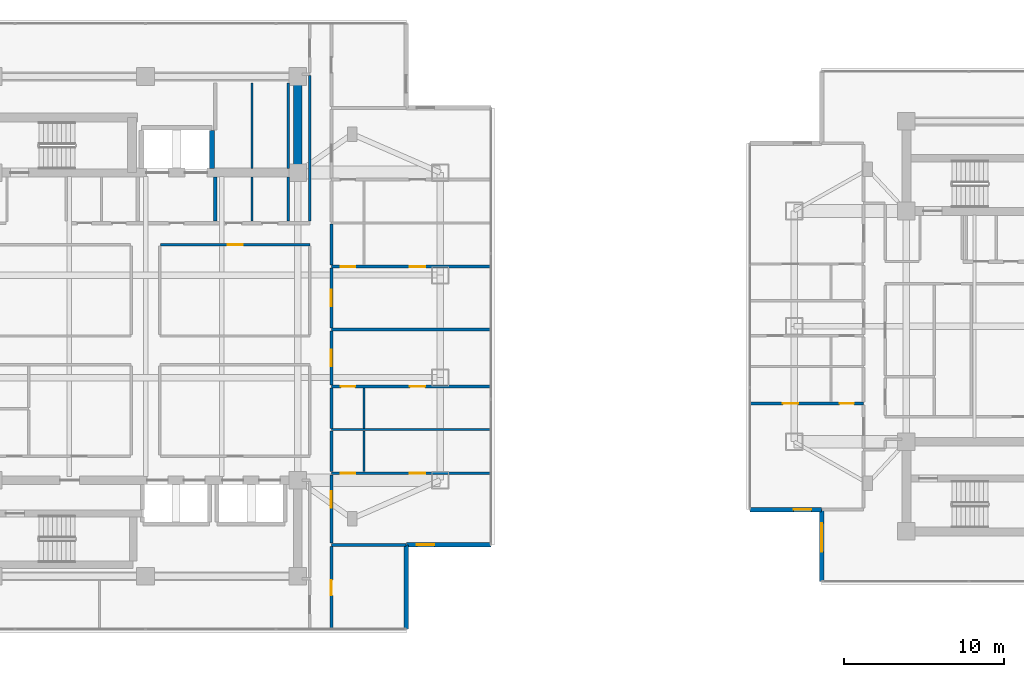
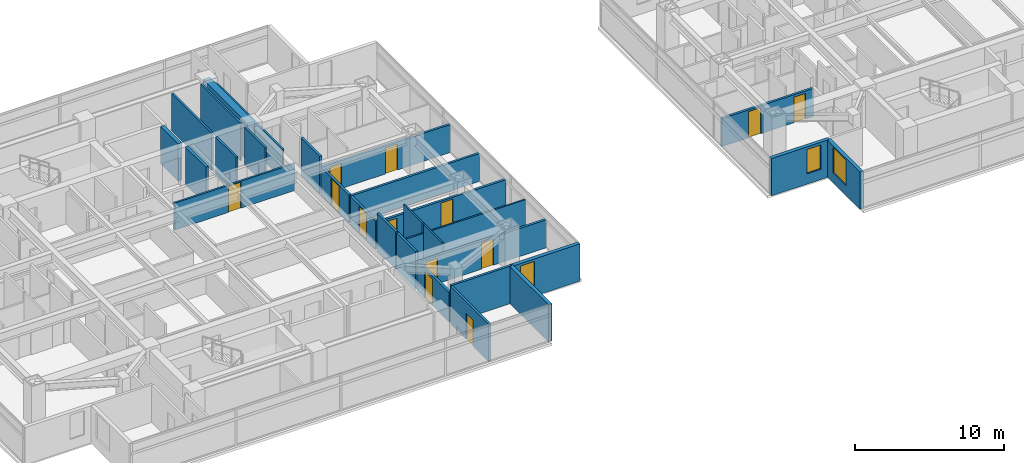
# One storey, part 14 of 24: 29 walls, 13 doors, 3 windows, 16 openings.
"""IFC4 building model written with IfcOpenShell, lengths in metres."""

from ifc_helpers import new_model, si_unit, direction, frame, frame_2d, origin, place, context, subcontext, project, spatial, rectangle, extrude, material, layer, layer_set, type_object, element, fill, save


model = new_model("IFC4")

# Units and contexts
model_context = context("Model", 3, precision=1e-05, world=origin(), true_north=direction((0.0, 1.0)))
body_context = subcontext(model_context, "Body", "Model", "MODEL_VIEW")
ifc_project = project(units=[si_unit("LENGTHUNIT", "METRE"), si_unit("AREAUNIT", "SQUARE_METRE"), si_unit("VOLUMEUNIT", "CUBIC_METRE"), si_unit("PLANEANGLEUNIT", "RADIAN"), si_unit("MASSUNIT", "GRAM", prefix="KILO")], contexts=[model_context])

# Site, building, storey
site_placement = place(None, origin())
site = spatial("IfcSite", under=ifc_project, at=site_placement, CompositionType="ELEMENT")
building_placement = place(site_placement, origin())
building = spatial("IfcBuilding", under=site, at=building_placement, Name="Mirazonda Arch Towers", CompositionType="ELEMENT")
storey_placement = place(building_placement, frame((0.0, 0.0, 137.89990234375)))
storey = spatial("IfcBuildingStorey", under=building, at=storey_placement, Name="L39", CompositionType="ELEMENT", Elevation=137.89990234375)

# Wall
ifc_material_1 = material(Name="Concrete C50/60", Category="concrete")
ifc_layer_1 = layer(ifc_material_1, 0.550048828125, Name="WALL-CORE-550")
ifc_layer_set_1 = layer_set([ifc_layer_1], Name="Concrete C50/60")
wall_type_1 = type_object("IfcWallType", Name="WALL-CORE-550", PredefinedType="SHEAR", material=ifc_layer_set_1)
wall_1_placement = place(storey_placement, frame((30.0, 37.60009765625, 0.0), z_axis=(0.0, 0.0, 1.0), x_axis=(0.0, 1.0, 0.0)))
element("IfcWall", 1, at=wall_1_placement, inside=storey, type_object=wall_type_1, Name="L39 T1N-E Core Shear Wall", PredefinedType="SHEAR", context=body_context, shape_type="SweptSolid", body=[
    extrude(rectangle(XDim=6.0, YDim=0.550048828125, at=frame_2d((3.0, 0.0))), origin(), (0.0, 0.0, 1.0), 3.080078125),
])

# Wall, opening, window
ifc_material_2 = material(Name="Precast Concrete C40/50", Category="concrete")
ifc_layer_2 = layer(ifc_material_2, 0.280029296875, Name="WALL-EXT-WALL-280")
ifc_layer_set_2 = layer_set([ifc_layer_2], Name="Precast Concrete C40/50")
wall_type_2 = type_object("IfcWallType", Name="WALL-EXT-WALL-280", PredefinedType="SOLIDWALL", material=ifc_layer_set_2)
wall_2_placement = place(storey_placement, frame((36.7900390625, 14.362060546875, 0.0), z_axis=(0.0, 0.0, 1.0), x_axis=(1.0, 0.0, 0.0)))
wall_2 = element("IfcWall", 2, at=wall_2_placement, inside=storey, type_object=wall_type_2, Name="L39 T1 Corner Notch Return Wall WL-L39-T1-CSE1", PredefinedType="SOLIDWALL", context=body_context, shape_type="SweptSolid", body=[
    extrude(rectangle(XDim=5.27001953125, YDim=0.280029296875, at=frame_2d((2.635009765625, 0.0))), origin(), (0.0, 0.0, 1.0), 3.06005859375),
])
opening_1_placement = place(wall_2_placement, frame((0.64990234375, 0.0, 0.85009765625)))
opening_1 = element("IfcOpeningElement", 3, at=opening_1_placement, cuts=wall_2, Name="Opening WN-108", PredefinedType="OPENING", context=body_context, shape_type="SweptSolid", body=[
    extrude(rectangle(XDim=1.10009765625, YDim=2.0, at=frame_2d((0.550048828125, 1.0))), frame((0.0, 0.14990234375, 0.0), z_axis=(0.0, -1.0, 0.0), x_axis=(1.0, 0.0, 0.0)), (0.0, 0.0, 1.0), 0.300048828125),
])
ifc_material_3 = material(Name="Insulated Low-E Solar Glass", Category="glass")
window_type_1 = type_object("IfcWindowType", Name="WIN-NOTCH-1100x2000", PartitioningType="SINGLE_PANEL", PredefinedType="WINDOW", material=ifc_material_3)
window_1_placement = place(opening_1_placement, origin())
window_1 = element("IfcWindow", 4, at=window_1_placement, inside=storey, type_object=window_type_1, Name="L39 Punched Facade Window WN-L39-T1-CSE1", OverallHeight=2.0, OverallWidth=1.10009765625, PartitioningType="SINGLE_PANEL", PredefinedType="WINDOW", context=body_context, shape_type="SweptSolid", body=[
    extrude(rectangle(XDim=1.10009765625, YDim=2.0, at=frame_2d((0.550048828125, 1.0))), frame((0.0, 0.030029296875, 0.0), z_axis=(0.0, -1.0, 0.0), x_axis=(1.0, 0.0, 0.0)), (0.0, 0.0, 1.0), 0.06005859375),
])
fill(opening_1, window_1)

# Wall
wall_3_placement = place(storey_placement, frame((36.7900390625, 9.092041015625, 0.0), z_axis=(0.0, 0.0, 1.0), x_axis=(0.0, 1.0, 0.0)))
element("IfcWall", 5, at=wall_3_placement, inside=storey, type_object=wall_type_2, Name="L39 T1 Corner Notch Return Wall WL-L39-T1-CSE2", PredefinedType="SOLIDWALL", context=body_context, shape_type="SweptSolid", body=[
    extrude(rectangle(XDim=5.27001953125, YDim=0.280029296875, at=frame_2d((2.635009765625, 0.0))), origin(), (0.0, 0.0, 1.0), 3.06005859375),
])

# Wall, opening, window
wall_4_placement = place(storey_placement, frame((62.71337890625, 16.567626953125, 0.0), z_axis=(0.0, 0.0, 1.0), x_axis=(0.0, -1.0, 0.0)))
wall_4 = element("IfcWall", 6, at=wall_4_placement, inside=storey, type_object=wall_type_2, Name="L39 T2 Notched SW Corner Wall WL-L39-T2-CSW", PredefinedType="SOLIDWALL", context=body_context, shape_type="SweptSolid", body=[
    extrude(rectangle(XDim=4.486328125, YDim=0.280029296875, at=frame_2d((2.2431640625, 0.0))), origin(), (0.0, 0.0, 1.0), 3.06005859375),
])
opening_2_placement = place(wall_4_placement, frame((0.85009765625, 0.0, 0.81005859375)))
opening_2 = element("IfcOpeningElement", 7, at=opening_2_placement, cuts=wall_4, Name="Opening WN-116", PredefinedType="OPENING", context=body_context, shape_type="SweptSolid", body=[
    extrude(rectangle(XDim=1.800048828125, YDim=2.10009765625, at=frame_2d((0.89990234375, 1.050048828125))), frame((0.0, 0.14990234375, 0.0), z_axis=(0.0, -1.0, 0.0), x_axis=(1.0, 0.0, 0.0)), (0.0, 0.0, 1.0), 0.300048828125),
])
window_type_2 = type_object("IfcWindowType", Name="WIN-HTL-1800x2100", PartitioningType="SINGLE_PANEL", PredefinedType="WINDOW", material=ifc_material_3)
window_2_placement = place(opening_2_placement, origin())
window_2 = element("IfcWindow", 8, at=window_2_placement, inside=storey, type_object=window_type_2, Name="L39 Punched Facade Window WN-L39-T2-CSW", OverallHeight=2.10009765625, OverallWidth=1.800048828125, PartitioningType="SINGLE_PANEL", PredefinedType="WINDOW", context=body_context, shape_type="SweptSolid", body=[
    extrude(rectangle(XDim=1.800048828125, YDim=2.10009765625, at=frame_2d((0.89990234375, 1.050048828125))), frame((0.0, 0.030029296875, 0.0), z_axis=(0.0, -1.0, 0.0), x_axis=(1.0, 0.0, 0.0)), (0.0, 0.0, 1.0), 0.06005859375),
])
fill(opening_2, window_2)

wall_5_placement = place(storey_placement, frame((58.22705078125, 16.567626953125, 0.0), z_axis=(0.0, 0.0, 1.0), x_axis=(1.0, 0.0, 0.0)))
wall_5 = element("IfcWall", 9, at=wall_5_placement, inside=storey, type_object=wall_type_2, Name="L39 T2 Corner Notch Return Wall WL-L39-T2-CSW2", PredefinedType="SOLIDWALL", context=body_context, shape_type="SweptSolid", body=[
    extrude(rectangle(XDim=4.486328125, YDim=0.280029296875, at=frame_2d((2.2431640625, 0.0))), origin(), (0.0, 0.0, 1.0), 3.06005859375),
])
opening_3_placement = place(wall_5_placement, frame((2.736083984375, 0.0, 0.85009765625)))
opening_3 = element("IfcOpeningElement", 10, at=opening_3_placement, cuts=wall_5, Name="Opening WN-108", PredefinedType="OPENING", context=body_context, shape_type="SweptSolid", body=[
    extrude(rectangle(XDim=1.10009765625, YDim=2.0, at=frame_2d((0.550048828125, 1.0))), frame((0.0, 0.14990234375, 0.0), z_axis=(0.0, -1.0, 0.0), x_axis=(1.0, 0.0, 0.0)), (0.0, 0.0, 1.0), 0.300048828125),
])
window_3_placement = place(opening_3_placement, origin())
window_3 = element("IfcWindow", 11, at=window_3_placement, inside=storey, type_object=window_type_1, Name="L39 Punched Facade Window WN-L39-T2-CSW2", OverallHeight=2.0, OverallWidth=1.10009765625, PartitioningType="SINGLE_PANEL", PredefinedType="WINDOW", context=body_context, shape_type="SweptSolid", body=[
    extrude(rectangle(XDim=1.10009765625, YDim=2.0, at=frame_2d((0.550048828125, 1.0))), frame((0.0, 0.030029296875, 0.0), z_axis=(0.0, -1.0, 0.0), x_axis=(1.0, 0.0, 0.0)), (0.0, 0.0, 1.0), 0.06005859375),
])
fill(opening_3, window_3)

# Wall
ifc_material_4 = material(Name="Concrete C40/50", Category="concrete")
ifc_layer_3 = layer(ifc_material_4, 0.219970703125, Name="WALL-FFL-220")
ifc_layer_set_3 = layer_set([ifc_layer_3], Name="Concrete C40/50")
wall_type_3 = type_object("IfcWallType", Name="WALL-FFL-220", PredefinedType="SOLIDWALL", material=ifc_layer_set_3)
wall_6_placement = place(storey_placement, frame((24.85009765625, 34.570068359375, 0.0), z_axis=(0.0, 0.0, 1.0), x_axis=(0.0, 1.0, 0.0)))
element("IfcWall", 12, at=wall_6_placement, inside=storey, type_object=wall_type_3, Name="L39 Interior Partition 097", PredefinedType="SOLIDWALL", context=body_context, shape_type="SweptSolid", body=[
    extrude(rectangle(XDim=2.760009765625, YDim=0.219970703125, at=frame_2d((1.3798828125, 0.0))), origin(), (0.0, 0.0, 1.0), 3.080078125),
])

# Wall, opening, door
ifc_material_5 = material(Name="Fire-Rated Gypsum Stud Partition")
ifc_layer_4 = layer(ifc_material_5, 0.14990234375, Name="WALL-PART-CORR-150")
ifc_layer_set_4 = layer_set([ifc_layer_4], Name="Fire-Rated Gypsum Stud Partition")
wall_type_4 = type_object("IfcWallType", Name="WALL-PART-CORR-150", PredefinedType="PARTITIONING", material=ifc_layer_set_4)
wall_7_placement = place(storey_placement, frame((21.43994140625, 33.10009765625, 0.0), z_axis=(0.0, 0.0, 1.0), x_axis=(1.0, 0.0, 0.0)))
wall_7 = element("IfcWall", 13, at=wall_7_placement, inside=storey, type_object=wall_type_4, Name="L39 Interior Partition 045", PredefinedType="PARTITIONING", context=body_context, shape_type="SweptSolid", body=[
    extrude(rectangle(XDim=9.320068359375, YDim=0.14990234375, at=frame_2d((4.66015625, 0.0))), origin(), (0.0, 0.0, 1.0), 2.216064453125),
])
opening_4_placement = place(wall_7_placement, frame((4.18505859375, 0.0, 0.0)))
opening_4 = element("IfcOpeningElement", 14, at=opening_4_placement, cuts=wall_7, Name="Opening DR-104", PredefinedType="OPENING", context=body_context, shape_type="SweptSolid", body=[
    extrude(rectangle(XDim=0.949951171875, YDim=2.14990234375, at=frame_2d((0.47509765625, 1.074951171875))), frame((0.0, 0.0849609375, 0.0), z_axis=(0.0, -1.0, 0.0), x_axis=(1.0, 0.0, 0.0)), (0.0, 0.0, 1.0), 0.169921875),
])
ifc_material_6 = material(Name="Architectural Brushed Steel S355", Category="steel")
door_type_1 = type_object("IfcDoorType", Name="DOOR-ROOM-950", OperationType="NOTDEFINED", PredefinedType="DOOR", material=ifc_material_6)
door_1_placement = place(opening_4_placement, origin())
door_1 = element("IfcDoor", 15, at=door_1_placement, inside=storey, type_object=door_type_1, Name="L39 L39 North-East Cruciform Study Door", OperationType="SINGLE_SWING_RIGHT", OverallHeight=2.14990234375, OverallWidth=0.949951171875, PredefinedType="DOOR", context=body_context, shape_type="SweptSolid", body=[
    extrude(rectangle(XDim=0.949951171875, YDim=2.14990234375, at=frame_2d((0.47509765625, 1.074951171875))), frame((0.0, 0.02490234375, 0.0), z_axis=(0.0, -1.0, 0.0), x_axis=(1.0, 0.0, 0.0)), (0.0, 0.0, 1.0), 0.050048828125),
])
fill(opening_4, door_1)

# Walls
wall_8_placement = place(storey_placement, frame((27.14990234375, 34.570068359375, 0.0), z_axis=(0.0, 0.0, 1.0), x_axis=(0.0, 1.0, 0.0)))
element("IfcWall", 16, at=wall_8_placement, inside=storey, type_object=wall_type_4, Name="L39 Interior Partition 099", PredefinedType="PARTITIONING", context=body_context, shape_type="SweptSolid", body=[
    extrude(rectangle(XDim=2.760009765625, YDim=0.14990234375, at=frame_2d((1.3798828125, 0.0))), origin(), (0.0, 0.0, 1.0), 3.080078125),
])
wall_9_placement = place(storey_placement, frame((27.14990234375, 37.8701171875, 0.0), z_axis=(0.0, 0.0, 1.0), x_axis=(0.0, 1.0, 0.0)))
element("IfcWall", 17, at=wall_9_placement, inside=storey, type_object=wall_type_4, Name="L39 Interior Partition 100", PredefinedType="PARTITIONING", context=body_context, shape_type="SweptSolid", body=[
    extrude(rectangle(XDim=5.329833984375, YDim=0.14990234375, at=frame_2d((2.6650390625, 0.0))), origin(), (0.0, 0.0, 1.0), 3.080078125),
])
wall_10_placement = place(storey_placement, frame((29.39990234375, 34.570068359375, 0.0), z_axis=(0.0, 0.0, 1.0), x_axis=(0.0, 1.0, 0.0)))
element("IfcWall", 18, at=wall_10_placement, inside=storey, type_object=wall_type_4, Name="L39 Interior Partition 102", PredefinedType="PARTITIONING", context=body_context, shape_type="SweptSolid", body=[
    extrude(rectangle(XDim=2.760009765625, YDim=0.14990234375, at=frame_2d((1.3798828125, 0.0))), origin(), (0.0, 0.0, 1.0), 3.080078125),
])
wall_11_placement = place(storey_placement, frame((29.39990234375, 37.8701171875, 0.0), z_axis=(0.0, 0.0, 1.0), x_axis=(0.0, 1.0, 0.0)))
element("IfcWall", 19, at=wall_11_placement, inside=storey, type_object=wall_type_4, Name="L39 Interior Partition 103", PredefinedType="PARTITIONING", context=body_context, shape_type="SweptSolid", body=[
    extrude(rectangle(XDim=5.329833984375, YDim=0.14990234375, at=frame_2d((2.6650390625, 0.0))), origin(), (0.0, 0.0, 1.0), 3.080078125),
])
wall_12_placement = place(storey_placement, frame((30.760009765625, 34.570068359375, 0.0), z_axis=(0.0, 0.0, 1.0), x_axis=(0.0, 1.0, 0.0)))
element("IfcWall", 20, at=wall_12_placement, inside=storey, type_object=wall_type_4, Name="L39 Interior Partition 108", PredefinedType="PARTITIONING", context=body_context, shape_type="SweptSolid", body=[
    extrude(rectangle(XDim=9.094970703125, YDim=0.14990234375, at=frame_2d((4.54736328125, 0.0))), origin(), (0.0, 0.0, 1.0), 2.4560546875),
])
ifc_material_7 = material(Name="Fire-Rated Gypsum Twin-Stud Assembly")
ifc_layer_5 = layer(ifc_material_7, 0.179931640625, Name="WALL-PART-DEMISE-180")
ifc_layer_set_5 = layer_set([ifc_layer_5], Name="Fire-Rated Gypsum Twin-Stud Assembly")
wall_type_5 = type_object("IfcWallType", Name="WALL-PART-DEMISE-180", PredefinedType="PARTITIONING", material=ifc_layer_set_5)
wall_13_placement = place(storey_placement, frame((32.10009765625, 14.362060546875, 0.0), z_axis=(0.0, 0.0, 1.0), x_axis=(1.0, 0.0, 0.0)))
element("IfcWall", 21, at=wall_13_placement, inside=storey, type_object=wall_type_5, Name="L39 Interior Partition 005", PredefinedType="PARTITIONING", context=body_context, shape_type="SweptSolid", body=[
    extrude(rectangle(XDim=4.669921875, YDim=0.179931640625, at=frame_2d((2.3349609375, 0.0))), origin(), (0.0, 0.0, 1.0), 3.080078125),
])

# Wall, openings, doors
wall_14_placement = place(storey_placement, frame((32.10009765625, 18.827880859375, 0.0), z_axis=(0.0, 0.0, 1.0), x_axis=(1.0, 0.0, 0.0)))
wall_14 = element("IfcWall", 22, at=wall_14_placement, inside=storey, type_object=wall_type_5, Name="L39 Interior Partition 015", PredefinedType="PARTITIONING", context=body_context, shape_type="SweptSolid", body=[
    extrude(rectangle(XDim=9.9599609375, YDim=0.179931640625, at=frame_2d((4.97998046875, 0.0))), origin(), (0.0, 0.0, 1.0), 2.299072265625),
])
opening_5_placement = place(wall_14_placement, frame((4.905029296875, 0.0, 0.0)))
opening_5 = element("IfcOpeningElement", 23, at=opening_5_placement, cuts=wall_14, Name="Opening DR-104", PredefinedType="OPENING", context=body_context, shape_type="SweptSolid", body=[
    extrude(rectangle(XDim=0.949951171875, YDim=2.14990234375, at=frame_2d((0.47509765625, 1.074951171875))), frame((0.0, 0.099853515625, 0.0), z_axis=(0.0, -1.0, 0.0), x_axis=(1.0, 0.0, 0.0)), (0.0, 0.0, 1.0), 0.199951171875),
])
opening_6_placement = place(wall_14_placement, frame((0.590087890625, 0.0, 0.0)))
opening_6 = element("IfcOpeningElement", 24, at=opening_6_placement, cuts=wall_14, Name="Opening DR-120", PredefinedType="OPENING", context=body_context, shape_type="SweptSolid", body=[
    extrude(rectangle(XDim=0.89990234375, YDim=2.10009765625, at=frame_2d((0.449951171875, 1.050048828125))), frame((0.0, 0.099853515625, 0.0), z_axis=(0.0, -1.0, 0.0), x_axis=(1.0, 0.0, 0.0)), (0.0, 0.0, 1.0), 0.199951171875),
])
door_2_placement = place(opening_5_placement, origin())
door_2 = element("IfcDoor", 25, at=door_2_placement, inside=storey, type_object=door_type_1, Name="L39 Studio 1 Galley Kitchen Door", OperationType="SINGLE_SWING_RIGHT", OverallHeight=2.14990234375, OverallWidth=0.949951171875, PredefinedType="DOOR", context=body_context, shape_type="SweptSolid", body=[
    extrude(rectangle(XDim=0.949951171875, YDim=2.14990234375, at=frame_2d((0.47509765625, 1.074951171875))), frame((0.0, 0.02490234375, 0.0), z_axis=(0.0, -1.0, 0.0), x_axis=(1.0, 0.0, 0.0)), (0.0, 0.0, 1.0), 0.050048828125),
])
fill(opening_5, door_2)
door_type_2 = type_object("IfcDoorType", Name="DOOR-WC-900", OperationType="NOTDEFINED", PredefinedType="DOOR", material=ifc_material_6)
door_3_placement = place(opening_6_placement, origin())
door_3 = element("IfcDoor", 26, at=door_3_placement, inside=storey, type_object=door_type_2, Name="L39 Studio 1 Bathroom Door", OperationType="SINGLE_SWING_LEFT", OverallHeight=2.10009765625, OverallWidth=0.89990234375, PredefinedType="DOOR", context=body_context, shape_type="SweptSolid", body=[
    extrude(rectangle(XDim=0.89990234375, YDim=2.10009765625, at=frame_2d((0.449951171875, 1.050048828125))), frame((0.0, 0.02490234375, 0.0), z_axis=(0.0, -1.0, 0.0), x_axis=(1.0, 0.0, 0.0)), (0.0, 0.0, 1.0), 0.050048828125),
])
fill(opening_6, door_3)

wall_15_placement = place(storey_placement, frame((58.22705078125, 23.19189453125, 0.0), z_axis=(0.0, 0.0, 1.0), x_axis=(1.0, 0.0, 0.0)))
wall_15 = element("IfcWall", 27, at=wall_15_placement, inside=storey, type_object=wall_type_5, Name="L39 Interior Partition 025", PredefinedType="PARTITIONING", context=body_context, shape_type="SweptSolid", body=[
    extrude(rectangle(XDim=7.093017578125, YDim=0.179931640625, at=frame_2d((3.54638671875, 0.0))), origin(), (0.0, 0.0, 1.0), 2.299072265625),
])
opening_7_placement = place(wall_15_placement, frame((2.071533203125, 0.0, 0.0)))
opening_7 = element("IfcOpeningElement", 28, at=opening_7_placement, cuts=wall_15, Name="Opening DR-104", PredefinedType="OPENING", context=body_context, shape_type="SweptSolid", body=[
    extrude(rectangle(XDim=0.949951171875, YDim=2.14990234375, at=frame_2d((0.47509765625, 1.074951171875))), frame((0.0, 0.099853515625, 0.0), z_axis=(0.0, -1.0, 0.0), x_axis=(1.0, 0.0, 0.0)), (0.0, 0.0, 1.0), 0.199951171875),
])
opening_8_placement = place(wall_15_placement, frame((5.60302734375, 0.0, 0.0)))
opening_8 = element("IfcOpeningElement", 29, at=opening_8_placement, cuts=wall_15, Name="Opening DR-120", PredefinedType="OPENING", context=body_context, shape_type="SweptSolid", body=[
    extrude(rectangle(XDim=0.89990234375, YDim=2.10009765625, at=frame_2d((0.449951171875, 1.050048828125))), frame((0.0, 0.099853515625, 0.0), z_axis=(0.0, -1.0, 0.0), x_axis=(1.0, 0.0, 0.0)), (0.0, 0.0, 1.0), 0.199951171875),
])
door_4_placement = place(opening_7_placement, origin())
door_4 = element("IfcDoor", 30, at=door_4_placement, inside=storey, type_object=door_type_1, Name="L39 Guestroom Study 1 Door", OperationType="SINGLE_SWING_RIGHT", OverallHeight=2.14990234375, OverallWidth=0.949951171875, PredefinedType="DOOR", context=body_context, shape_type="SweptSolid", body=[
    extrude(rectangle(XDim=0.949951171875, YDim=2.14990234375, at=frame_2d((0.47509765625, 1.074951171875))), frame((0.0, 0.02490234375, 0.0), z_axis=(0.0, -1.0, 0.0), x_axis=(1.0, 0.0, 0.0)), (0.0, 0.0, 1.0), 0.050048828125),
])
fill(opening_7, door_4)
door_5_placement = place(opening_8_placement, origin())
door_5 = element("IfcDoor", 31, at=door_5_placement, inside=storey, type_object=door_type_2, Name="L39 En-Suite Bathroom 1 Door", OperationType="SINGLE_SWING_LEFT", OverallHeight=2.10009765625, OverallWidth=0.89990234375, PredefinedType="DOOR", context=body_context, shape_type="SweptSolid", body=[
    extrude(rectangle(XDim=0.89990234375, YDim=2.10009765625, at=frame_2d((0.449951171875, 1.050048828125))), frame((0.0, 0.02490234375, 0.0), z_axis=(0.0, -1.0, 0.0), x_axis=(1.0, 0.0, 0.0)), (0.0, 0.0, 1.0), 0.050048828125),
])
fill(opening_8, door_5)

wall_16_placement = place(storey_placement, frame((32.10009765625, 24.251953125, 0.0), z_axis=(0.0, 0.0, 1.0), x_axis=(1.0, 0.0, 0.0)))
wall_16 = element("IfcWall", 32, at=wall_16_placement, inside=storey, type_object=wall_type_5, Name="L39 Interior Partition 026", PredefinedType="PARTITIONING", context=body_context, shape_type="SweptSolid", body=[
    extrude(rectangle(XDim=9.9599609375, YDim=0.179931640625, at=frame_2d((4.97998046875, 0.0))), origin(), (0.0, 0.0, 1.0), 2.299072265625),
])
opening_9_placement = place(wall_16_placement, frame((4.905029296875, 0.0, 0.0)))
opening_9 = element("IfcOpeningElement", 33, at=opening_9_placement, cuts=wall_16, Name="Opening DR-104", PredefinedType="OPENING", context=body_context, shape_type="SweptSolid", body=[
    extrude(rectangle(XDim=0.949951171875, YDim=2.14990234375, at=frame_2d((0.47509765625, 1.074951171875))), frame((0.0, 0.099853515625, 0.0), z_axis=(0.0, -1.0, 0.0), x_axis=(1.0, 0.0, 0.0)), (0.0, 0.0, 1.0), 0.199951171875),
])
opening_10_placement = place(wall_16_placement, frame((0.590087890625, 0.0, 0.0)))
opening_10 = element("IfcOpeningElement", 34, at=opening_10_placement, cuts=wall_16, Name="Opening DR-120", PredefinedType="OPENING", context=body_context, shape_type="SweptSolid", body=[
    extrude(rectangle(XDim=0.89990234375, YDim=2.10009765625, at=frame_2d((0.449951171875, 1.050048828125))), frame((0.0, 0.099853515625, 0.0), z_axis=(0.0, -1.0, 0.0), x_axis=(1.0, 0.0, 0.0)), (0.0, 0.0, 1.0), 0.199951171875),
])
door_6_placement = place(opening_9_placement, origin())
door_6 = element("IfcDoor", 35, at=door_6_placement, inside=storey, type_object=door_type_1, Name="L39 Studio 2 Galley Kitchen Door", OperationType="SINGLE_SWING_LEFT", OverallHeight=2.14990234375, OverallWidth=0.949951171875, PredefinedType="DOOR", context=body_context, shape_type="SweptSolid", body=[
    extrude(rectangle(XDim=0.949951171875, YDim=2.14990234375, at=frame_2d((0.47509765625, 1.074951171875))), frame((0.0, 0.02490234375, 0.0), z_axis=(0.0, -1.0, 0.0), x_axis=(1.0, 0.0, 0.0)), (0.0, 0.0, 1.0), 0.050048828125),
])
fill(opening_9, door_6)
door_7_placement = place(opening_10_placement, origin())
door_7 = element("IfcDoor", 36, at=door_7_placement, inside=storey, type_object=door_type_2, Name="L39 Studio 2 Bathroom Door", OperationType="SINGLE_SWING_RIGHT", OverallHeight=2.10009765625, OverallWidth=0.89990234375, PredefinedType="DOOR", context=body_context, shape_type="SweptSolid", body=[
    extrude(rectangle(XDim=0.89990234375, YDim=2.10009765625, at=frame_2d((0.449951171875, 1.050048828125))), frame((0.0, 0.02490234375, 0.0), z_axis=(0.0, -1.0, 0.0), x_axis=(1.0, 0.0, 0.0)), (0.0, 0.0, 1.0), 0.050048828125),
])
fill(opening_10, door_7)

# Wall
wall_17_placement = place(storey_placement, frame((32.10009765625, 27.81005859375, 0.0), z_axis=(0.0, 0.0, 1.0), x_axis=(1.0, 0.0, 0.0)))
element("IfcWall", 37, at=wall_17_placement, inside=storey, type_object=wall_type_5, Name="L39 Interior Partition 035", PredefinedType="PARTITIONING", context=body_context, shape_type="SweptSolid", body=[
    extrude(rectangle(XDim=9.9599609375, YDim=0.179931640625, at=frame_2d((4.97998046875, 0.0))), origin(), (0.0, 0.0, 1.0), 2.299072265625),
])

# Wall, openings, doors
wall_18_placement = place(storey_placement, frame((32.10009765625, 31.73193359375, 0.0), z_axis=(0.0, 0.0, 1.0), x_axis=(1.0, 0.0, 0.0)))
wall_18 = element("IfcWall", 38, at=wall_18_placement, inside=storey, type_object=wall_type_5, Name="L39 Interior Partition 040", PredefinedType="PARTITIONING", context=body_context, shape_type="SweptSolid", body=[
    extrude(rectangle(XDim=9.9599609375, YDim=0.179931640625, at=frame_2d((4.97998046875, 0.0))), origin(), (0.0, 0.0, 1.0), 2.299072265625),
])
opening_11_placement = place(wall_18_placement, frame((4.905029296875, 0.0, 0.0)))
opening_11 = element("IfcOpeningElement", 39, at=opening_11_placement, cuts=wall_18, Name="Opening DR-104", PredefinedType="OPENING", context=body_context, shape_type="SweptSolid", body=[
    extrude(rectangle(XDim=0.949951171875, YDim=2.14990234375, at=frame_2d((0.47509765625, 1.074951171875))), frame((0.0, 0.099853515625, 0.0), z_axis=(0.0, -1.0, 0.0), x_axis=(1.0, 0.0, 0.0)), (0.0, 0.0, 1.0), 0.199951171875),
])
opening_12_placement = place(wall_18_placement, frame((0.590087890625, 0.0, 0.0)))
opening_12 = element("IfcOpeningElement", 40, at=opening_12_placement, cuts=wall_18, Name="Opening DR-120", PredefinedType="OPENING", context=body_context, shape_type="SweptSolid", body=[
    extrude(rectangle(XDim=0.89990234375, YDim=2.10009765625, at=frame_2d((0.449951171875, 1.050048828125))), frame((0.0, 0.099853515625, 0.0), z_axis=(0.0, -1.0, 0.0), x_axis=(1.0, 0.0, 0.0)), (0.0, 0.0, 1.0), 0.199951171875),
])
door_8_placement = place(opening_11_placement, origin())
door_8 = element("IfcDoor", 41, at=door_8_placement, inside=storey, type_object=door_type_1, Name="L39 Studio 3 Galley Kitchen Door", OperationType="SINGLE_SWING_RIGHT", OverallHeight=2.14990234375, OverallWidth=0.949951171875, PredefinedType="DOOR", context=body_context, shape_type="SweptSolid", body=[
    extrude(rectangle(XDim=0.949951171875, YDim=2.14990234375, at=frame_2d((0.47509765625, 1.074951171875))), frame((0.0, 0.02490234375, 0.0), z_axis=(0.0, -1.0, 0.0), x_axis=(1.0, 0.0, 0.0)), (0.0, 0.0, 1.0), 0.050048828125),
])
fill(opening_11, door_8)
door_9_placement = place(opening_12_placement, origin())
door_9 = element("IfcDoor", 42, at=door_9_placement, inside=storey, type_object=door_type_2, Name="L39 Studio 3 Bathroom Door", OperationType="SINGLE_SWING_LEFT", OverallHeight=2.10009765625, OverallWidth=0.89990234375, PredefinedType="DOOR", context=body_context, shape_type="SweptSolid", body=[
    extrude(rectangle(XDim=0.89990234375, YDim=2.10009765625, at=frame_2d((0.449951171875, 1.050048828125))), frame((0.0, 0.02490234375, 0.0), z_axis=(0.0, -1.0, 0.0), x_axis=(1.0, 0.0, 0.0)), (0.0, 0.0, 1.0), 0.050048828125),
])
fill(opening_12, door_9)

# Wall, opening, door
wall_19_placement = place(storey_placement, frame((32.10009765625, 9.092041015625, 0.0), z_axis=(0.0, 0.0, 1.0), x_axis=(0.0, 1.0, 0.0)))
wall_19 = element("IfcWall", 43, at=wall_19_placement, inside=storey, type_object=wall_type_5, Name="L39 Interior Partition 110", PredefinedType="PARTITIONING", context=body_context, shape_type="SweptSolid", body=[
    extrude(rectangle(XDim=5.169921875, YDim=0.179931640625, at=frame_2d((2.5849609375, 0.0))), origin(), (0.0, 0.0, 1.0), 3.080078125),
])
opening_13_placement = place(wall_19_placement, frame((2.110107421875, 0.0, 0.0)))
opening_13 = element("IfcOpeningElement", 44, at=opening_13_placement, cuts=wall_19, Name="Opening DR-104", PredefinedType="OPENING", context=body_context, shape_type="SweptSolid", body=[
    extrude(rectangle(XDim=0.949951171875, YDim=2.14990234375, at=frame_2d((0.47509765625, 1.074951171875))), frame((0.0, 0.099853515625, 0.0), z_axis=(0.0, -1.0, 0.0), x_axis=(1.0, 0.0, 0.0)), (0.0, 0.0, 1.0), 0.199951171875),
])
door_10_placement = place(opening_13_placement, origin())
door_10 = element("IfcDoor", 45, at=door_10_placement, inside=storey, type_object=door_type_1, Name="L39 South Panoramic Study Alcove East Door", OperationType="SINGLE_SWING_RIGHT", OverallHeight=2.14990234375, OverallWidth=0.949951171875, PredefinedType="DOOR", context=body_context, shape_type="SweptSolid", body=[
    extrude(rectangle(XDim=0.949951171875, YDim=2.14990234375, at=frame_2d((0.47509765625, 1.074951171875))), frame((0.0, 0.02490234375, 0.0), z_axis=(0.0, -1.0, 0.0), x_axis=(1.0, 0.0, 0.0)), (0.0, 0.0, 1.0), 0.050048828125),
])
fill(opening_13, door_10)

wall_20_placement = place(storey_placement, frame((32.10009765625, 14.4619140625, 0.0), z_axis=(0.0, 0.0, 1.0), x_axis=(0.0, 1.0, 0.0)))
wall_20 = element("IfcWall", 46, at=wall_20_placement, inside=storey, type_object=wall_type_5, Name="L39 Interior Partition 111", PredefinedType="PARTITIONING", context=body_context, shape_type="SweptSolid", body=[
    extrude(rectangle(XDim=4.26611328125, YDim=0.179931640625, at=frame_2d((2.133056640625, 0.0))), origin(), (0.0, 0.0, 1.0), 2.4560546875),
])
opening_14_placement = place(wall_20_placement, frame((2.2080078125, 0.0, 0.0)))
opening_14 = element("IfcOpeningElement", 47, at=opening_14_placement, cuts=wall_20, Name="Opening DR-121", PredefinedType="OPENING", context=body_context, shape_type="SweptSolid", body=[
    extrude(rectangle(XDim=1.050048828125, YDim=2.199951171875, at=frame_2d((0.52490234375, 1.10009765625))), frame((0.0, 0.099853515625, 0.0), z_axis=(0.0, -1.0, 0.0), x_axis=(1.0, 0.0, 0.0)), (0.0, 0.0, 1.0), 0.199951171875),
])
door_type_3 = type_object("IfcDoorType", Name="DOOR-SUITE-FD60-1050", OperationType="NOTDEFINED", PredefinedType="DOOR", material=ifc_material_6)
door_11_placement = place(opening_14_placement, origin())
door_11 = element("IfcDoor", 48, at=door_11_placement, inside=storey, type_object=door_type_3, Name="L39 Studio Apartment 1 Living Salon Door", OperationType="SINGLE_SWING_LEFT", OverallHeight=2.199951171875, OverallWidth=1.050048828125, PredefinedType="DOOR", context=body_context, shape_type="SweptSolid", body=[
    extrude(rectangle(XDim=1.050048828125, YDim=2.199951171875, at=frame_2d((0.52490234375, 1.10009765625))), frame((0.0, 0.02490234375, 0.0), z_axis=(0.0, -1.0, 0.0), x_axis=(1.0, 0.0, 0.0)), (0.0, 0.0, 1.0), 0.050048828125),
])
fill(opening_14, door_11)

# Walls
wall_21_placement = place(storey_placement, frame((32.10009765625, 18.927978515625, 0.0), z_axis=(0.0, 0.0, 1.0), x_axis=(0.0, 1.0, 0.0)))
element("IfcWall", 49, at=wall_21_placement, inside=storey, type_object=wall_type_5, Name="L39 Interior Partition 112", PredefinedType="PARTITIONING", context=body_context, shape_type="SweptSolid", body=[
    extrude(rectangle(XDim=2.547607421875, YDim=0.179931640625, at=frame_2d((1.27392578125, 0.0))), origin(), (0.0, 0.0, 1.0), 3.080078125),
])
wall_22_placement = place(storey_placement, frame((32.10009765625, 21.62060546875, 0.0), z_axis=(0.0, 0.0, 1.0), x_axis=(0.0, 1.0, 0.0)))
element("IfcWall", 50, at=wall_22_placement, inside=storey, type_object=wall_type_5, Name="L39 Interior Partition 113", PredefinedType="PARTITIONING", context=body_context, shape_type="SweptSolid", body=[
    extrude(rectangle(XDim=2.531494140625, YDim=0.179931640625, at=frame_2d((1.265625, 0.0))), origin(), (0.0, 0.0, 1.0), 3.080078125),
])

# Wall, opening, door
wall_23_placement = place(storey_placement, frame((32.10009765625, 24.35205078125, 0.0), z_axis=(0.0, 0.0, 1.0), x_axis=(0.0, 1.0, 0.0)))
wall_23 = element("IfcWall", 51, at=wall_23_placement, inside=storey, type_object=wall_type_5, Name="L39 Interior Partition 114", PredefinedType="PARTITIONING", context=body_context, shape_type="SweptSolid", body=[
    extrude(rectangle(XDim=3.35791015625, YDim=0.179931640625, at=frame_2d((1.678955078125, 0.0))), origin(), (0.0, 0.0, 1.0), 2.299072265625),
])
opening_15_placement = place(wall_23_placement, frame((1.154052734375, 0.0, 0.0)))
opening_15 = element("IfcOpeningElement", 52, at=opening_15_placement, cuts=wall_23, Name="Opening DR-121", PredefinedType="OPENING", context=body_context, shape_type="SweptSolid", body=[
    extrude(rectangle(XDim=1.050048828125, YDim=2.199951171875, at=frame_2d((0.52490234375, 1.10009765625))), frame((0.0, 0.099853515625, 0.0), z_axis=(0.0, -1.0, 0.0), x_axis=(1.0, 0.0, 0.0)), (0.0, 0.0, 1.0), 0.199951171875),
])
door_12_placement = place(opening_15_placement, origin())
door_12 = element("IfcDoor", 53, at=door_12_placement, inside=storey, type_object=door_type_3, Name="L39 Studio Apartment 2 Living Salon Door", OperationType="SINGLE_SWING_RIGHT", OverallHeight=2.199951171875, OverallWidth=1.050048828125, PredefinedType="DOOR", context=body_context, shape_type="SweptSolid", body=[
    extrude(rectangle(XDim=1.050048828125, YDim=2.199951171875, at=frame_2d((0.52490234375, 1.10009765625))), frame((0.0, 0.02490234375, 0.0), z_axis=(0.0, -1.0, 0.0), x_axis=(1.0, 0.0, 0.0)), (0.0, 0.0, 1.0), 0.050048828125),
])
fill(opening_15, door_12)

wall_24_placement = place(storey_placement, frame((32.10009765625, 27.909912109375, 0.0), z_axis=(0.0, 0.0, 1.0), x_axis=(0.0, 1.0, 0.0)))
wall_24 = element("IfcWall", 54, at=wall_24_placement, inside=storey, type_object=wall_type_5, Name="L39 Interior Partition 115", PredefinedType="PARTITIONING", context=body_context, shape_type="SweptSolid", body=[
    extrude(rectangle(XDim=3.72216796875, YDim=0.179931640625, at=frame_2d((1.861083984375, 0.0))), origin(), (0.0, 0.0, 1.0), 2.299072265625),
])
opening_16_placement = place(wall_24_placement, frame((1.3359375, 0.0, 0.0)))
opening_16 = element("IfcOpeningElement", 55, at=opening_16_placement, cuts=wall_24, Name="Opening DR-121", PredefinedType="OPENING", context=body_context, shape_type="SweptSolid", body=[
    extrude(rectangle(XDim=1.050048828125, YDim=2.199951171875, at=frame_2d((0.52490234375, 1.10009765625))), frame((0.0, 0.099853515625, 0.0), z_axis=(0.0, -1.0, 0.0), x_axis=(1.0, 0.0, 0.0)), (0.0, 0.0, 1.0), 0.199951171875),
])
door_13_placement = place(opening_16_placement, origin())
door_13 = element("IfcDoor", 56, at=door_13_placement, inside=storey, type_object=door_type_3, Name="L39 Studio Apartment 3 Living Salon Door", OperationType="SINGLE_SWING_LEFT", OverallHeight=2.199951171875, OverallWidth=1.050048828125, PredefinedType="DOOR", context=body_context, shape_type="SweptSolid", body=[
    extrude(rectangle(XDim=1.050048828125, YDim=2.199951171875, at=frame_2d((0.52490234375, 1.10009765625))), frame((0.0, 0.02490234375, 0.0), z_axis=(0.0, -1.0, 0.0), x_axis=(1.0, 0.0, 0.0)), (0.0, 0.0, 1.0), 0.050048828125),
])
fill(opening_16, door_13)

# Walls
wall_25_placement = place(storey_placement, frame((32.10009765625, 31.83203125, 0.0), z_axis=(0.0, 0.0, 1.0), x_axis=(0.0, 1.0, 0.0)))
element("IfcWall", 57, at=wall_25_placement, inside=storey, type_object=wall_type_5, Name="L39 Interior Partition 116", PredefinedType="PARTITIONING", context=body_context, shape_type="SweptSolid", body=[
    extrude(rectangle(XDim=2.54736328125, YDim=0.179931640625, at=frame_2d((1.273681640625, 0.0))), origin(), (0.0, 0.0, 1.0), 3.080078125),
])
ifc_material_8 = material(Name="Acoustic Fire-Rated Gypsum Partition")
ifc_layer_6 = layer(ifc_material_8, 0.125, Name="WALL-PART-UNIT-125")
ifc_layer_set_6 = layer_set([ifc_layer_6], Name="Acoustic Fire-Rated Gypsum Partition")
wall_type_6 = type_object("IfcWallType", Name="WALL-PART-UNIT-125", PredefinedType="PARTITIONING", material=ifc_layer_set_6)
wall_26_placement = place(storey_placement, frame((32.10009765625, 21.548095703125, 0.0), z_axis=(0.0, 0.0, 1.0), x_axis=(1.0, 0.0, 0.0)))
element("IfcWall", 58, at=wall_26_placement, inside=storey, type_object=wall_type_6, Name="L39 Interior Partition 022", PredefinedType="PARTITIONING", context=body_context, shape_type="SweptSolid", body=[
    extrude(rectangle(XDim=9.9599609375, YDim=0.125, at=frame_2d((4.97998046875, 0.0))), origin(), (0.0, 0.0, 1.0), 2.299072265625),
])
wall_27_placement = place(storey_placement, frame((34.139892578125, 18.927978515625, 0.0), z_axis=(0.0, 0.0, 1.0), x_axis=(0.0, 1.0, 0.0)))
element("IfcWall", 59, at=wall_27_placement, inside=storey, type_object=wall_type_6, Name="L39 Interior Partition 120", PredefinedType="PARTITIONING", context=body_context, shape_type="SweptSolid", body=[
    extrude(rectangle(XDim=2.547607421875, YDim=0.125, at=frame_2d((1.27392578125, 0.0))), origin(), (0.0, 0.0, 1.0), 3.080078125),
])
wall_28_placement = place(storey_placement, frame((34.139892578125, 21.62060546875, 0.0), z_axis=(0.0, 0.0, 1.0), x_axis=(0.0, 1.0, 0.0)))
element("IfcWall", 60, at=wall_28_placement, inside=storey, type_object=wall_type_6, Name="L39 Interior Partition 121", PredefinedType="PARTITIONING", context=body_context, shape_type="SweptSolid", body=[
    extrude(rectangle(XDim=2.531494140625, YDim=0.125, at=frame_2d((1.265625, 0.0))), origin(), (0.0, 0.0, 1.0), 3.080078125),
])
ifc_layer_7 = layer(ifc_material_1, 0.300048828125, Name="WALL-SHAFT-300")
ifc_layer_set_7 = layer_set([ifc_layer_7], Name="Concrete C50/60")
wall_type_7 = type_object("IfcWallType", Name="WALL-SHAFT-300", PredefinedType="SOLIDWALL", material=ifc_layer_set_7)
wall_29_placement = place(storey_placement, frame((24.64990234375, 37.8701171875, 0.0), z_axis=(0.0, 0.0, 1.0), x_axis=(0.0, 1.0, 0.0)))
element("IfcWall", 61, at=wall_29_placement, inside=storey, type_object=wall_type_7, Name="L39 Interior Partition 095", PredefinedType="SOLIDWALL", context=body_context, shape_type="SweptSolid", body=[
    extrude(rectangle(XDim=2.369873046875, YDim=0.300048828125, at=frame_2d((1.18505859375, 0.0))), origin(), (0.0, 0.0, 1.0), 3.080078125),
])

save(model, "model.ifc")
